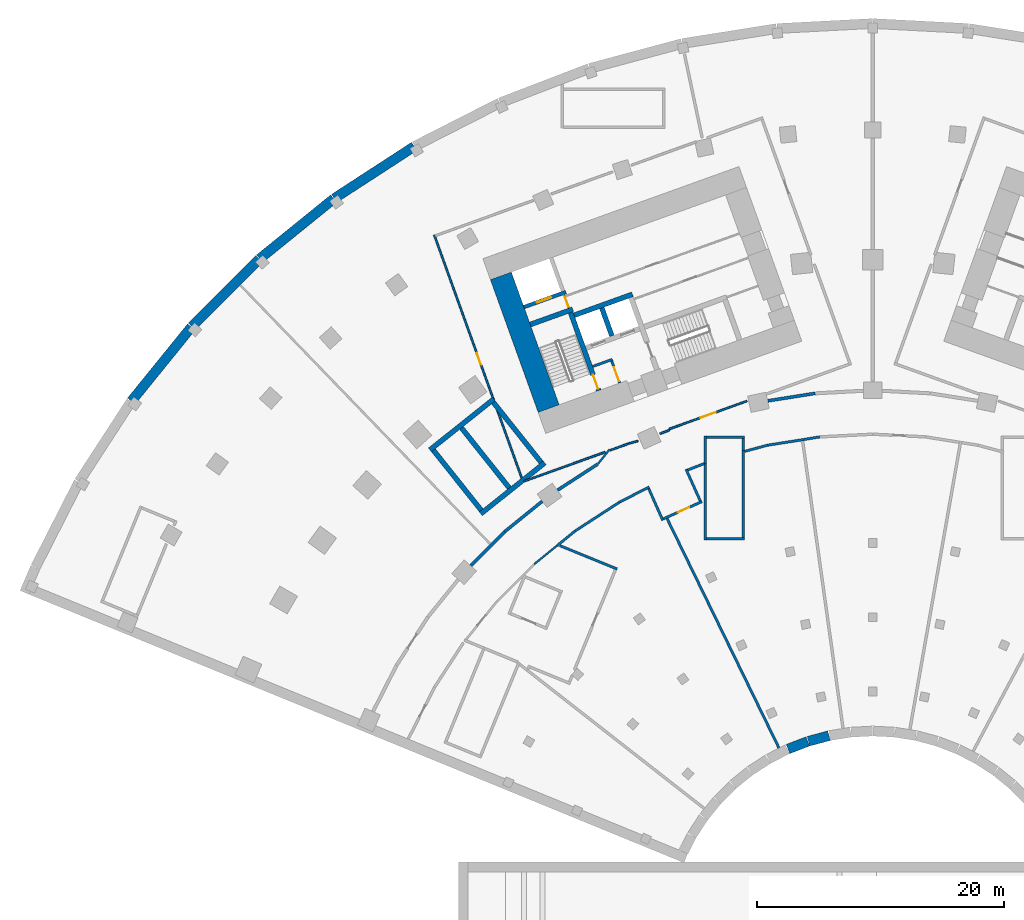
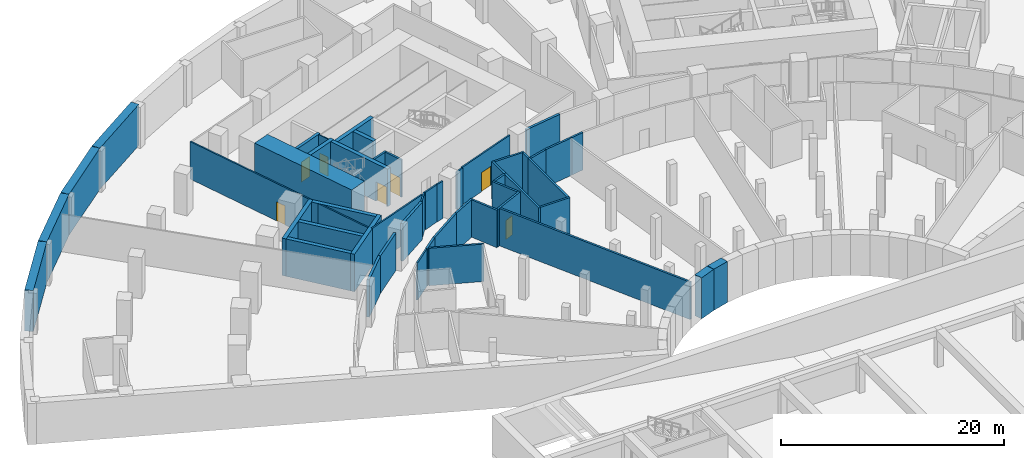
# One storey, part 8 of 21: 50 walls, 7 doors, 7 openings.
"""IFC4 building model written with IfcOpenShell, lengths in metres."""

from ifc_helpers import new_model, si_unit, direction, frame, frame_2d, origin, place, context, subcontext, project, spatial, rectangle, extrude, material, layer, layer_set, type_object, element, fill, save


model = new_model("IFC4")

# Units and contexts
model_context = context("Model", 3, precision=1e-05, world=origin(), true_north=direction((0.0, 1.0)))
body_context = subcontext(model_context, "Body", "Model", "MODEL_VIEW")
ifc_project = project(units=[si_unit("LENGTHUNIT", "METRE"), si_unit("AREAUNIT", "SQUARE_METRE"), si_unit("VOLUMEUNIT", "CUBIC_METRE"), si_unit("PLANEANGLEUNIT", "RADIAN"), si_unit("MASSUNIT", "GRAM", prefix="KILO")], contexts=[model_context])

# Site, building, storey
site_placement = place(None, origin())
site = spatial("IfcSite", under=ifc_project, at=site_placement, CompositionType="ELEMENT")
building_placement = place(site_placement, origin())
building = spatial("IfcBuilding", under=site, at=building_placement, Name="Stone Belt Terrace Tower", CompositionType="ELEMENT")
storey_placement = place(building_placement, frame((0.0, 0.0, -9.0)))
storey = spatial("IfcBuildingStorey", under=building, at=storey_placement, Name="B2", CompositionType="ELEMENT", Elevation=-9.0)

# Walls
ifc_material_1 = material(Name="Concrete B30", Category="concrete")
ifc_layer_1 = layer(ifc_material_1, 0.800048828125)
ifc_layer_set_1 = layer_set([ifc_layer_1], Name="Basement wall 800 B30")
wall_type_1 = type_object("IfcWallType", Name="Basement wall 800 B30", PredefinedType="SHEAR", material=ifc_layer_set_1)
for number, where, z_axis, x_axis, name in (
    (1, (-6.8544921875, 15.447021484375, 0.0), (0.0, 0.0, 1.0), (0.933582227874, 0.358363256763, 0.0), "Basement wall B2 8"),
    (2, (-5.202392578125, 16.078857421875, 0.0), (0.0, 0.0, 1.0), (0.965922180197, 0.258832652121, 0.0), "Basement wall B2 9"),
):
    element("IfcWall", number, at=place(storey_placement, frame(where, z_axis=z_axis, x_axis=x_axis)), inside=storey, type_object=wall_type_1, Name=name, PredefinedType="SHEAR", context=body_context, shape_type="SweptSolid", body=[
        extrude(rectangle(XDim=1.72705078125, YDim=0.800048828125, at=frame_2d((0.863525390625, 0.0))), origin(), (0.0, 0.0, 1.0), 4.5),
    ])
for number, where, z_axis, x_axis, name in (
    (3, (-37.0673828125, 64.16064453125, 0.0), (0.0, 0.0, 1.0), (-0.838660466412, -0.544654589696, 0.0), "Basement wall B2 41"),
    (4, (-43.57080078125, 59.9345703125, 0.0), (0.0, 0.0, 1.0), (-0.777146839365, -0.629319306922, 0.0), "Basement wall B2 42"),
    (5, (-49.596923828125, 55.0517578125, 0.0), (0.0, 0.0, 1.0), (-0.707106781187, -0.707106781187, 0.0), "Basement wall B2 43"),
    (6, (-55.079833984375, 49.56591796875, 0.0), (0.0, 0.0, 1.0), (-0.629319306922, -0.777146839365, 0.0), "Basement wall B2 44"),
):
    element("IfcWall", number, at=place(storey_placement, frame(where, z_axis=z_axis, x_axis=x_axis)), inside=storey, type_object=wall_type_1, Name=name, PredefinedType="SHEAR", context=body_context, shape_type="SweptSolid", body=[
        extrude(rectangle(XDim=7.71435546875, YDim=0.800048828125, at=frame_2d((3.857177734375, 0.0))), origin(), (0.0, 0.0, 1.0), 4.5),
    ])
ifc_layer_2 = layer(ifc_material_1, 0.25)
ifc_layer_set_2 = layer_set([ifc_layer_2], Name="Compartment wall 250")
wall_type_2 = type_object("IfcWallType", Name="Compartment wall 250", PredefinedType="SOLIDWALL", material=ifc_layer_set_2)
wall_1_placement = place(storey_placement, frame((-32.4853515625, 30.28466796875, 0.0), z_axis=(0.0, 0.0, 1.0), x_axis=(0.707106781187, 0.707106781187, 0.0)))
element("IfcWall", 7, at=wall_1_placement, inside=storey, type_object=wall_type_2, Name="Compartment wall B2 4", PredefinedType="SOLIDWALL", context=body_context, shape_type="SweptSolid", body=[
    extrude(rectangle(XDim=3.8759765625, YDim=0.25, at=frame_2d((1.93798828125, 0.0))), origin(), (0.0, 0.0, 1.0), 4.10009765625),
])
wall_2_placement = place(storey_placement, frame((-29.73486328125, 33.0341796875, 0.0), z_axis=(0.0, 0.0, 1.0), x_axis=(0.777272744525, 0.629163794746, 0.0)))
element("IfcWall", 8, at=wall_2_placement, inside=storey, type_object=wall_type_2, Name="Compartment wall B2 5", PredefinedType="SOLIDWALL", context=body_context, shape_type="SweptSolid", body=[
    extrude(rectangle(XDim=3.875244140625, YDim=0.25, at=frame_2d((1.9375, 0.0))), origin(), (0.0, 0.0, 1.0), 4.10009765625),
])
wall_3_placement = place(storey_placement, frame((-25.478515625, 36.376220703125, 0.0), z_axis=(0.0, 0.0, 1.0), x_axis=(0.838954270147, 0.544201922637, 0.0)))
element("IfcWall", 9, at=wall_3_placement, inside=storey, type_object=wall_type_2, Name="Compartment wall B2 6", PredefinedType="SOLIDWALL", context=body_context, shape_type="SweptSolid", body=[
    extrude(rectangle(XDim=3.864013671875, YDim=0.25, at=frame_2d((1.93212890625, 0.0))), origin(), (0.0, 0.0, 1.0), 4.10009765625),
])
wall_4_placement = place(storey_placement, frame((-8.480224609375, 43.59521484375, 0.0), z_axis=(0.0, 0.0, 1.0), x_axis=(0.987762453966, 0.155965812071, 0.0)))
element("IfcWall", 10, at=wall_4_placement, inside=storey, type_object=wall_type_2, Name="Compartment wall B2 7", PredefinedType="SOLIDWALL", context=body_context, shape_type="SweptSolid", body=[
    extrude(rectangle(XDim=3.87109375, YDim=0.25, at=frame_2d((1.935546875, 0.0))), origin(), (0.0, 0.0, 1.0), 4.10009765625),
])

# Wall, opening, door
ifc_material_2 = material(Name="Plasterboard partition")
ifc_layer_3 = layer(ifc_material_2, 0.10009765625)
ifc_layer_set_3 = layer_set([ifc_layer_3], Name="Core partition 100")
wall_type_3 = type_object("IfcWallType", Name="Core partition 100", PredefinedType="PARTITIONING", material=ifc_layer_set_3)
wall_5_placement = place(storey_placement, frame((-24.555908203125, 51.10400390625, 0.0), z_axis=(0.0, 0.0, 1.0), x_axis=(-0.338621735342, 0.94092258999, 0.0)))
wall_5 = element("IfcWall", 11, at=wall_5_placement, inside=storey, type_object=wall_type_3, Name="Core A wall", PredefinedType="PARTITIONING", context=body_context, shape_type="SweptSolid", body=[
    extrude(rectangle(XDim=1.14990234375, YDim=0.10009765625, at=frame_2d((0.574951171875, 0.0))), origin(), (0.0, 0.0, 1.0), 4.10009765625),
])
opening_1_placement = place(wall_5_placement, frame((0.050048828125, 0.0, 0.0)))
opening_1 = element("IfcOpeningElement", 12, at=opening_1_placement, cuts=wall_5, Name="Opening B2-C03", PredefinedType="OPENING", context=body_context, shape_type="SweptSolid", body=[
    extrude(rectangle(XDim=1.0, YDim=2.10009765625, at=frame_2d((0.5, 1.050048828125))), frame((0.0, 0.06005859375, 0.0), z_axis=(0.0, -1.0, 0.0), x_axis=(1.0, 0.0, 0.0)), (0.0, 0.0, 1.0), 0.1201171875),
])
ifc_material_3 = material(Name="Timber door leaf", Category="wood")
door_type_1 = type_object("IfcDoorType", Name="Core room door 1000", OperationType="SINGLE_SWING_LEFT", PredefinedType="DOOR", material=ifc_material_3)
door_1_placement = place(opening_1_placement, origin())
door_1 = element("IfcDoor", 13, at=door_1_placement, inside=storey, type_object=door_type_1, Name="Service lift lobby door core A", OperationType="SINGLE_SWING_LEFT", OverallHeight=2.10009765625, OverallWidth=1.0, PredefinedType="DOOR", context=body_context, shape_type="SweptSolid", body=[
    extrude(rectangle(XDim=1.0, YDim=2.10009765625, at=frame_2d((0.5, 1.050048828125))), frame((0.0, 0.02490234375, 0.0), z_axis=(0.0, -1.0, 0.0), x_axis=(1.0, 0.0, 0.0)), (0.0, 0.0, 1.0), 0.050048828125),
])
fill(opening_1, door_1)

# Walls
ifc_material_4 = material(Name="Concrete B80", Category="concrete")
ifc_layer_4 = layer(ifc_material_4, 1.800048828125)
ifc_layer_set_4 = layer_set([ifc_layer_4], Name="Core wall 1800 B80")
wall_type_4 = type_object("IfcWallType", Name="Core wall 1800 B80", PredefinedType="SHEAR", material=ifc_layer_set_4)
wall_6_placement = place(storey_placement, frame((-26.197509765625, 42.96728515625, 0.0), z_axis=(0.0, 0.0, 1.0), x_axis=(-0.338625431531, 0.940921259788, 0.0)))
element("IfcWall", 14, at=wall_6_placement, inside=storey, type_object=wall_type_4, Name="Core A wall end_a B2", PredefinedType="SHEAR", context=body_context, shape_type="SweptSolid", body=[
    extrude(rectangle(XDim=11.400146484375, YDim=1.800048828125, at=frame_2d((5.7001953125, 0.0))), origin(), (0.0, 0.0, 1.0), 4.5),
])
ifc_layer_5 = layer(ifc_material_4, 0.39990234375)
ifc_layer_set_5 = layer_set([ifc_layer_5], Name="Fire-fighting lift shaft wall 400")
wall_type_5 = type_object("IfcWallType", Name="Fire-fighting lift shaft wall 400", PredefinedType="SHEAR", material=ifc_layer_set_5)
wall_7_placement = place(storey_placement, frame((-24.130615234375, 50.512939453125, 0.0), z_axis=(0.0, 0.0, 1.0), x_axis=(0.94091168377, 0.338652038744, 0.0)))
element("IfcWall", 15, at=wall_7_placement, inside=storey, type_object=wall_type_5, Name="Core A wall", PredefinedType="SHEAR", context=body_context, shape_type="SweptSolid", body=[
    extrude(rectangle(XDim=5.000244140625, YDim=0.39990234375, at=frame_2d((2.5, 0.0))), origin(), (0.0, 0.0, 1.0), 4.10009765625),
])
wall_8_placement = place(storey_placement, frame((-21.0859375, 48.845458984375, 0.0), z_axis=(0.0, 0.0, 1.0), x_axis=(-0.338629416206, 0.940919825745, 0.0)))
element("IfcWall", 16, at=wall_8_placement, inside=storey, type_object=wall_type_5, Name="Core A wall", PredefinedType="SHEAR", context=body_context, shape_type="SweptSolid", body=[
    extrude(rectangle(XDim=2.400146484375, YDim=0.39990234375, at=frame_2d((1.2001953125, 0.0))), origin(), (0.0, 0.0, 1.0), 4.10009765625),
])

# Wall, opening, door
ifc_layer_6 = layer(ifc_material_4, 0.300048828125)
ifc_layer_set_6 = layer_set([ifc_layer_6], Name="Lift shaft wall 300")
wall_type_6 = type_object("IfcWallType", Name="Lift shaft wall 300", PredefinedType="SHEAR", material=ifc_layer_set_6)
wall_9_placement = place(storey_placement, frame((-28.195068359375, 51.17578125, 0.0), z_axis=(0.0, 0.0, 1.0), x_axis=(0.940901243567, 0.338681044427, 0.0)))
wall_9 = element("IfcWall", 17, at=wall_9_placement, inside=storey, type_object=wall_type_6, Name="Core A wall", PredefinedType="SHEAR", context=body_context, shape_type="SweptSolid", body=[
    extrude(rectangle(XDim=3.599853515625, YDim=0.300048828125, at=frame_2d((1.7998046875, 0.0))), origin(), (0.0, 0.0, 1.0), 4.10009765625),
])
opening_2_placement = place(wall_9_placement, frame((1.1201171875, 0.0, 0.0)))
opening_2 = element("IfcOpeningElement", 18, at=opening_2_placement, cuts=wall_9, Name="Opening B2-LD03", PredefinedType="OPENING", context=body_context, shape_type="SweptSolid", body=[
    extrude(rectangle(XDim=1.199951171875, YDim=2.199951171875, at=frame_2d((0.60009765625, 1.10009765625))), frame((0.0, 0.159912109375, 0.0), z_axis=(0.0, -1.0, 0.0), x_axis=(1.0, 0.0, 0.0)), (0.0, 0.0, 1.0), 0.320068359375),
])
ifc_material_5 = material(Name="Stainless steel door leaf", Category="steel")
door_type_2 = type_object("IfcDoorType", Name="Landing door 1200", OperationType="SLIDING_TO_LEFT", PredefinedType="DOOR", material=ifc_material_5)
door_2_placement = place(opening_2_placement, origin())
door_2 = element("IfcDoor", 19, at=door_2_placement, inside=storey, type_object=door_type_2, Name="Landing door SV1 core A", OperationType="SLIDING_TO_LEFT", OverallHeight=2.199951171875, OverallWidth=1.199951171875, PredefinedType="DOOR", context=body_context, shape_type="SweptSolid", body=[
    extrude(rectangle(XDim=1.199951171875, YDim=2.199951171875, at=frame_2d((0.60009765625, 1.10009765625))), frame((0.0, 0.02490234375, 0.0), z_axis=(0.0, -1.0, 0.0), x_axis=(1.0, 0.0, 0.0)), (0.0, 0.0, 1.0), 0.050048828125),
])
fill(opening_2, door_2)

# Walls
ifc_material_6 = material(Name="Blockwork wall, plastered both faces", Category="masonry")
ifc_layer_7 = layer(ifc_material_6, 0.199951171875)
ifc_layer_set_7 = layer_set([ifc_layer_7], Name="Podium demising wall 200")
wall_type_7 = type_object("IfcWallType", Name="Podium demising wall 200", PredefinedType="PARTITIONING", material=ifc_layer_set_7)
wall_10_placement = place(storey_placement, frame((-25.5283203125, 31.878173828125, 0.0), z_axis=(0.0, 0.0, 1.0), x_axis=(0.77543853682, 0.631423055973, 0.0)))
element("IfcWall", 20, at=wall_10_placement, inside=storey, type_object=wall_type_7, Name="Podium demising wall 200", PredefinedType="PARTITIONING", context=body_context, shape_type="SweptSolid", body=[
    extrude(rectangle(XDim=1.913818359375, YDim=0.199951171875, at=frame_2d((0.95703125, 0.0))), origin(), (0.0, 0.0, 1.0), 4.10009765625),
])
wall_11_placement = place(storey_placement, frame((-25.284423828125, 31.886474609375, 0.0), z_axis=(0.0, 0.0, 1.0), x_axis=(0.925860927211, -0.377864451177, 0.0)))
element("IfcWall", 21, at=wall_11_placement, inside=storey, type_object=wall_type_7, Name="Podium demising wall 200", PredefinedType="PARTITIONING", context=body_context, shape_type="SweptSolid", body=[
    extrude(rectangle(XDim=4.986572265625, YDim=0.199951171875, at=frame_2d((2.4931640625, 0.0))), origin(), (0.0, 0.0, 1.0), 4.10009765625),
])
wall_12_placement = place(storey_placement, frame((-24.035400390625, 33.093017578125, 0.0), z_axis=(0.0, 0.0, 1.0), x_axis=(0.838840597243, 0.544377123341, 0.0)))
element("IfcWall", 22, at=wall_12_placement, inside=storey, type_object=wall_type_7, Name="Podium demising wall 200", PredefinedType="PARTITIONING", context=body_context, shape_type="SweptSolid", body=[
    extrude(rectangle(XDim=4.26904296875, YDim=0.199951171875, at=frame_2d((2.134521484375, 0.0))), origin(), (0.0, 0.0, 1.0), 4.10009765625),
])
wall_13_placement = place(storey_placement, frame((-20.4453125, 35.42236328125, 0.0), z_axis=(0.0, 0.0, 1.0), x_axis=(0.891284501051, 0.453444526029, 0.0)))
element("IfcWall", 23, at=wall_13_placement, inside=storey, type_object=wall_type_7, Name="Podium demising wall 200", PredefinedType="PARTITIONING", context=body_context, shape_type="SweptSolid", body=[
    extrude(rectangle(XDim=2.67529296875, YDim=0.199951171875, at=frame_2d((1.337646484375, 0.0))), origin(), (0.0, 0.0, 1.0), 4.10009765625),
])
wall_14_placement = place(storey_placement, frame((-18.109375, 36.49853515625, 0.0), z_axis=(0.0, 0.0, 1.0), x_axis=(0.4054695773, -0.914108539444, 0.0)))
element("IfcWall", 24, at=wall_14_placement, inside=storey, type_object=wall_type_7, Name="Podium demising wall 200", PredefinedType="PARTITIONING", context=body_context, shape_type="SweptSolid", body=[
    extrude(rectangle(XDim=2.811279296875, YDim=0.199951171875, at=frame_2d((1.40576171875, 0.0))), origin(), (0.0, 0.0, 1.0), 4.10009765625),
])

# Wall, opening, door
wall_15_placement = place(storey_placement, frame((-16.9189453125, 34.0615234375, 0.0), z_axis=(0.0, 0.0, 1.0), x_axis=(0.913044486786, 0.407859982284, 0.0)))
wall_15 = element("IfcWall", 25, at=wall_15_placement, inside=storey, type_object=wall_type_7, Name="Podium demising wall 200", PredefinedType="PARTITIONING", context=body_context, shape_type="SweptSolid", body=[
    extrude(rectangle(XDim=3.406494140625, YDim=0.199951171875, at=frame_2d((1.703125, 0.0))), origin(), (0.0, 0.0, 1.0), 4.10009765625),
])
opening_3_placement = place(wall_15_placement, frame((1.2890625, 0.0, 0.0)))
opening_3 = element("IfcOpeningElement", 26, at=opening_3_placement, cuts=wall_15, Name="Opening B2-P05", PredefinedType="OPENING", context=body_context, shape_type="SweptSolid", body=[
    extrude(rectangle(XDim=1.0, YDim=2.10009765625, at=frame_2d((0.5, 1.050048828125))), frame((0.0, 0.10986328125, 0.0), z_axis=(0.0, -1.0, 0.0), x_axis=(1.0, 0.0, 0.0)), (0.0, 0.0, 1.0), 0.219970703125),
])
ifc_material_7 = material(Name="Steel framed door leaf", Category="steel")
door_type_3 = type_object("IfcDoorType", Name="Podium door single 1000", OperationType="SINGLE_SWING_LEFT", PredefinedType="DOOR", material=ifc_material_7)
door_3_placement = place(opening_3_placement, origin())
door_3 = element("IfcDoor", 27, at=door_3_placement, inside=storey, type_object=door_type_3, Name="Podium door single 1000", OperationType="SINGLE_SWING_LEFT", OverallHeight=2.10009765625, OverallWidth=1.0, PredefinedType="DOOR", context=body_context, shape_type="SweptSolid", body=[
    extrude(rectangle(XDim=1.0, YDim=2.10009765625, at=frame_2d((0.5, 1.050048828125))), frame((0.0, 0.02490234375, 0.0), z_axis=(0.0, -1.0, 0.0), x_axis=(1.0, 0.0, 0.0)), (0.0, 0.0, 1.0), 0.050048828125),
])
fill(opening_3, door_3)

# Walls
wall_16_placement = place(storey_placement, frame((-16.625244140625, 34.078369140625, 0.0), z_axis=(0.0, 0.0, 1.0), x_axis=(0.43831779737, -0.89882006459, 0.0)))
element("IfcWall", 28, at=wall_16_placement, inside=storey, type_object=wall_type_7, Name="Podium demising wall 200", PredefinedType="PARTITIONING", context=body_context, shape_type="SweptSolid", body=[
    extrude(rectangle(XDim=20.634521484375, YDim=0.199951171875, at=frame_2d((10.3173828125, 0.0))), origin(), (0.0, 0.0, 1.0), 4.10009765625),
])
wall_17_placement = place(storey_placement, frame((-15.091064453125, 38.061279296875, 0.0), z_axis=(0.0, 0.0, 1.0), x_axis=(0.409807578552, -0.912171995054, 0.0)))
element("IfcWall", 29, at=wall_17_placement, inside=storey, type_object=wall_type_7, Name="Podium demising wall 200", PredefinedType="PARTITIONING", context=body_context, shape_type="SweptSolid", body=[
    extrude(rectangle(XDim=2.806640625, YDim=0.199951171875, at=frame_2d((1.4033203125, 0.0))), origin(), (0.0, 0.0, 1.0), 4.10009765625),
])
wall_18_placement = place(storey_placement, frame((-14.956787109375, 38.006103515625, 0.0), z_axis=(0.0, 0.0, 1.0), x_axis=(0.932244128042, 0.36182991271, 0.0)))
element("IfcWall", 30, at=wall_18_placement, inside=storey, type_object=wall_type_7, Name="Podium demising wall 200", PredefinedType="PARTITIONING", context=body_context, shape_type="SweptSolid", body=[
    extrude(rectangle(XDim=1.433837890625, YDim=0.199951171875, at=frame_2d((0.716796875, 0.0))), origin(), (0.0, 0.0, 1.0), 4.10009765625),
])
wall_19_placement = place(storey_placement, frame((-10.3505859375, 39.51220703125, 0.0), z_axis=(0.0, 0.0, 1.0), x_axis=(0.965683566796, 0.259721483172, 0.0)))
element("IfcWall", 31, at=wall_19_placement, inside=storey, type_object=wall_type_7, Name="Podium demising wall 200", PredefinedType="PARTITIONING", context=body_context, shape_type="SweptSolid", body=[
    extrude(rectangle(XDim=1.9111328125, YDim=0.199951171875, at=frame_2d((0.95556640625, 0.0))), origin(), (0.0, 0.0, 1.0), 4.10009765625),
])
wall_20_placement = place(storey_placement, frame((-8.49462890625, 40.0107421875, 0.0), z_axis=(0.0, 0.0, 1.0), x_axis=(0.988043979884, 0.154172286143, 0.0)))
element("IfcWall", 32, at=wall_20_placement, inside=storey, type_object=wall_type_7, Name="Podium demising wall 200", PredefinedType="PARTITIONING", context=body_context, shape_type="SweptSolid", body=[
    extrude(rectangle(XDim=2.948486328125, YDim=0.199951171875, at=frame_2d((1.47412109375, 0.0))), origin(), (0.0, 0.0, 1.0), 4.10009765625),
])
wall_21_placement = place(storey_placement, frame((-5.57958984375, 40.468017578125, 0.0), z_axis=(0.0, 0.0, 1.0), x_axis=(0.986946774609, 0.161046776087, 0.0)))
element("IfcWall", 33, at=wall_21_placement, inside=storey, type_object=wall_type_7, Name="Podium demising wall 200", PredefinedType="PARTITIONING", context=body_context, shape_type="SweptSolid", body=[
    extrude(rectangle(XDim=1.311279296875, YDim=0.199951171875, at=frame_2d((0.65576171875, 0.0))), origin(), (0.0, 0.0, 1.0), 4.10009765625),
])

# Wall, opening, door
ifc_material_8 = material(Name="Gypsum board on steel stud partition", Category="steel")
ifc_layer_8 = layer(ifc_material_8, 0.14990234375)
ifc_layer_set_8 = layer_set([ifc_layer_8], Name="Podium partition 150")
wall_type_8 = type_object("IfcWallType", Name="Podium partition 150", PredefinedType="PARTITIONING", material=ifc_layer_set_8)
wall_22_placement = place(storey_placement, frame((-35.4453125, 56.990478515625, 0.0), z_axis=(0.0, 0.0, 1.0), x_axis=(0.338883430341, -0.940828369385, 0.0)))
wall_22 = element("IfcWall", 34, at=wall_22_placement, inside=storey, type_object=wall_type_8, Name="Podium partition 150", PredefinedType="PARTITIONING", context=body_context, shape_type="SweptSolid", body=[
    extrude(rectangle(XDim=21.248291015625, YDim=0.14990234375, at=frame_2d((10.6240234375, 0.0))), origin(), (0.0, 0.0, 1.0), 4.10009765625),
])
opening_4_placement = place(wall_22_placement, frame((10.124267578125, 0.0, 0.0)))
opening_4 = element("IfcOpeningElement", 35, at=opening_4_placement, cuts=wall_22, Name="Opening B2-P11", PredefinedType="OPENING", context=body_context, shape_type="SweptSolid", body=[
    extrude(rectangle(XDim=1.0, YDim=2.10009765625, at=frame_2d((0.5, 1.050048828125))), frame((0.0, 0.0849609375, 0.0), z_axis=(0.0, -1.0, 0.0), x_axis=(1.0, 0.0, 0.0)), (0.0, 0.0, 1.0), 0.169921875),
])
door_4_placement = place(opening_4_placement, origin())
door_4 = element("IfcDoor", 36, at=door_4_placement, inside=storey, type_object=door_type_3, Name="Podium door single 1000", OperationType="SINGLE_SWING_LEFT", OverallHeight=2.10009765625, OverallWidth=1.0, PredefinedType="DOOR", context=body_context, shape_type="SweptSolid", body=[
    extrude(rectangle(XDim=1.0, YDim=2.10009765625, at=frame_2d((0.5, 1.050048828125))), frame((0.0, 0.02490234375, 0.0), z_axis=(0.0, -1.0, 0.0), x_axis=(1.0, 0.0, 0.0)), (0.0, 0.0, 1.0), 0.050048828125),
])
fill(opening_4, door_4)

# Walls
wall_23_placement = place(storey_placement, frame((-28.199462890625, 37.09521484375, 0.0), z_axis=(0.0, 0.0, 1.0), x_axis=(0.941216607992, 0.337803636512, 0.0)))
element("IfcWall", 37, at=wall_23_placement, inside=storey, type_object=wall_type_8, Name="Podium partition 150", PredefinedType="PARTITIONING", context=body_context, shape_type="SweptSolid", body=[
    extrude(rectangle(XDim=6.986572265625, YDim=0.14990234375, at=frame_2d((3.4931640625, 0.0))), origin(), (0.0, 0.0, 1.0), 4.10009765625),
])
wall_24_placement = place(storey_placement, frame((-27.366943359375, 30.392333984375, 0.0), z_axis=(0.0, 0.0, 1.0), x_axis=(0.775699672269, 0.631102225033, 0.0)))
element("IfcWall", 38, at=wall_24_placement, inside=storey, type_object=wall_type_8, Name="Podium partition 150", PredefinedType="PARTITIONING", context=body_context, shape_type="SweptSolid", body=[
    extrude(rectangle(XDim=2.362060546875, YDim=0.14990234375, at=frame_2d((1.18115234375, 0.0))), origin(), (0.0, 0.0, 1.0), 4.10009765625),
])
wall_25_placement = place(storey_placement, frame((-22.21240234375, 38.49951171875, 0.0), z_axis=(0.0, 0.0, 1.0), x_axis=(0.625533857569, 0.780197021934, 0.0)))
element("IfcWall", 39, at=wall_25_placement, inside=storey, type_object=wall_type_8, Name="Podium partition 150", PredefinedType="PARTITIONING", context=body_context, shape_type="SweptSolid", body=[
    extrude(rectangle(XDim=1.490234375, YDim=0.14990234375, at=frame_2d((0.7451171875, 0.0))), origin(), (0.0, 0.0, 1.0), 4.10009765625),
])
wall_26_placement = place(storey_placement, frame((-21.23486328125, 39.5986328125, 0.0), z_axis=(0.0, 0.0, 1.0), x_axis=(0.940940035748, 0.338573255184, 0.0)))
element("IfcWall", 40, at=wall_26_placement, inside=storey, type_object=wall_type_8, Name="Podium partition 150", PredefinedType="PARTITIONING", context=body_context, shape_type="SweptSolid", body=[
    extrude(rectangle(XDim=1.596435546875, YDim=0.14990234375, at=frame_2d((0.79833984375, 0.0))), origin(), (0.0, 0.0, 1.0), 4.10009765625),
])
wall_27_placement = place(storey_placement, frame((-19.727294921875, 40.140625, 0.0), z_axis=(0.0, 0.0, 1.0), x_axis=(0.963222573391, 0.268704808499, 0.0)))
element("IfcWall", 41, at=wall_27_placement, inside=storey, type_object=wall_type_8, Name="Podium partition 150", PredefinedType="PARTITIONING", context=body_context, shape_type="SweptSolid", body=[
    extrude(rectangle(XDim=0.783203125, YDim=0.14990234375, at=frame_2d((0.3916015625, 0.0))), origin(), (0.0, 0.0, 1.0), 4.10009765625),
])
wall_28_placement = place(storey_placement, frame((-17.20849609375, 40.934326171875, 0.0), z_axis=(0.0, 0.0, 1.0), x_axis=(0.933665585173, 0.358146024777, 0.0)))
element("IfcWall", 42, at=wall_28_placement, inside=storey, type_object=wall_type_8, Name="Podium partition 150", PredefinedType="PARTITIONING", context=body_context, shape_type="SweptSolid", body=[
    extrude(rectangle(XDim=0.844482421875, YDim=0.14990234375, at=frame_2d((0.42236328125, 0.0))), origin(), (0.0, 0.0, 1.0), 4.10009765625),
])

# Wall, opening, door
wall_29_placement = place(storey_placement, frame((-16.449462890625, 41.3154296875, 0.0), z_axis=(0.0, 0.0, 1.0), x_axis=(0.94082310162, 0.338898054668, 0.0)))
wall_29 = element("IfcWall", 43, at=wall_29_placement, inside=storey, type_object=wall_type_8, Name="Podium partition 150", PredefinedType="PARTITIONING", context=body_context, shape_type="SweptSolid", body=[
    extrude(rectangle(XDim=6.68017578125, YDim=0.14990234375, at=frame_2d((3.340087890625, 0.0))), origin(), (0.0, 0.0, 1.0), 4.10009765625),
])
opening_5_placement = place(wall_29_placement, frame((2.690185546875, 0.0, 0.0)))
opening_5 = element("IfcOpeningElement", 44, at=opening_5_placement, cuts=wall_29, Name="Opening B2-P17", PredefinedType="OPENING", context=body_context, shape_type="SweptSolid", body=[
    extrude(rectangle(XDim=1.300048828125, YDim=2.10009765625, at=frame_2d((0.64990234375, 1.050048828125))), frame((0.0, 0.0849609375, 0.0), z_axis=(0.0, -1.0, 0.0), x_axis=(1.0, 0.0, 0.0)), (0.0, 0.0, 1.0), 0.169921875),
])
ifc_material_9 = material(Name="Steel framed fire door leaf", Category="steel")
door_type_4 = type_object("IfcDoorType", Name="Fire door 1300 x 2100 EI 60", OperationType="SINGLE_SWING_LEFT", PredefinedType="DOOR", material=ifc_material_9)
door_5_placement = place(opening_5_placement, origin())
door_5 = element("IfcDoor", 45, at=door_5_placement, inside=storey, type_object=door_type_4, Name="Fire door 1300 x 2100 EI 60", OperationType="SINGLE_SWING_LEFT", OverallHeight=2.10009765625, OverallWidth=1.300048828125, PredefinedType="DOOR", context=body_context, shape_type="SweptSolid", body=[
    extrude(rectangle(XDim=1.300048828125, YDim=2.10009765625, at=frame_2d((0.64990234375, 1.050048828125))), frame((0.0, 0.02490234375, 0.0), z_axis=(0.0, -1.0, 0.0), x_axis=(1.0, 0.0, 0.0)), (0.0, 0.0, 1.0), 0.050048828125),
])
fill(opening_5, door_5)

# Walls
ifc_layer_9 = layer(ifc_material_1, 0.199951171875)
ifc_layer_set_9 = layer_set([ifc_layer_9], Name="Podium stair and shaft wall 200")
wall_type_9 = type_object("IfcWallType", Name="Podium stair and shaft wall 200", PredefinedType="SOLIDWALL", material=ifc_layer_set_9)
wall_30_placement = place(storey_placement, frame((-13.530029296875, 32.340087890625, 0.0), z_axis=(0.0, 0.0, 1.0), x_axis=(0.0, 1.0, 0.0)))
element("IfcWall", 46, at=wall_30_placement, inside=storey, type_object=wall_type_9, Name="Podium stair and shaft wall 200", PredefinedType="SOLIDWALL", context=body_context, shape_type="SweptSolid", body=[
    extrude(rectangle(XDim=6.2099609375, YDim=0.199951171875, at=frame_2d((3.10498046875, 0.0))), origin(), (0.0, 0.0, 1.0), 4.10009765625),
])
wall_31_placement = place(storey_placement, frame((-13.429931640625, 32.43994140625, 0.0), z_axis=(0.0, 0.0, 1.0), x_axis=(1.0, 0.0, 0.0)))
element("IfcWall", 47, at=wall_31_placement, inside=storey, type_object=wall_type_9, Name="Podium stair and shaft wall 200", PredefinedType="SOLIDWALL", context=body_context, shape_type="SweptSolid", body=[
    extrude(rectangle(XDim=3.059814453125, YDim=0.199951171875, at=frame_2d((1.52978515625, 0.0))), origin(), (0.0, 0.0, 1.0), 4.10009765625),
])
wall_32_placement = place(storey_placement, frame((-13.530029296875, 38.550048828125, 0.0), z_axis=(0.0, 0.0, 1.0), x_axis=(0.0, 1.0, 0.0)))
element("IfcWall", 48, at=wall_32_placement, inside=storey, type_object=wall_type_9, Name="Podium stair and shaft wall 200", PredefinedType="SOLIDWALL", context=body_context, shape_type="SweptSolid", body=[
    extrude(rectangle(XDim=2.2099609375, YDim=0.199951171875, at=frame_2d((1.10498046875, 0.0))), origin(), (0.0, 0.0, 1.0), 4.10009765625),
])
wall_33_placement = place(storey_placement, frame((-13.429931640625, 40.659912109375, 0.0), z_axis=(0.0, 0.0, 1.0), x_axis=(1.0, 0.0, 0.0)))
element("IfcWall", 49, at=wall_33_placement, inside=storey, type_object=wall_type_9, Name="Podium stair and shaft wall 200", PredefinedType="SOLIDWALL", context=body_context, shape_type="SweptSolid", body=[
    extrude(rectangle(XDim=3.059814453125, YDim=0.199951171875, at=frame_2d((1.52978515625, 0.0))), origin(), (0.0, 0.0, 1.0), 4.10009765625),
])
wall_34_placement = place(storey_placement, frame((-10.469970703125, 32.5400390625, 0.0), z_axis=(0.0, 0.0, 1.0), x_axis=(0.0, 1.0, 0.0)))
element("IfcWall", 50, at=wall_34_placement, inside=storey, type_object=wall_type_9, Name="Podium stair and shaft wall 200", PredefinedType="SOLIDWALL", context=body_context, shape_type="SweptSolid", body=[
    extrude(rectangle(XDim=7.04345703125, YDim=0.199951171875, at=frame_2d((3.521728515625, 0.0))), origin(), (0.0, 0.0, 1.0), 4.10009765625),
])
wall_35_placement = place(storey_placement, frame((-10.469970703125, 39.583984375, 0.0), z_axis=(0.0, 0.0, 1.0), x_axis=(0.0, 1.0, 0.0)))
element("IfcWall", 51, at=wall_35_placement, inside=storey, type_object=wall_type_9, Name="Podium stair and shaft wall 200", PredefinedType="SOLIDWALL", context=body_context, shape_type="SweptSolid", body=[
    extrude(rectangle(XDim=0.97607421875, YDim=0.199951171875, at=frame_2d((0.488037109375, 0.0))), origin(), (0.0, 0.0, 1.0), 4.10009765625),
])
ifc_material_10 = material(Name="Concrete masonry block", Category="masonry")
ifc_layer_10 = layer(ifc_material_10, 0.199951171875)
ifc_layer_set_10 = layer_set([ifc_layer_10], Name="Rated lobby wall 200")
wall_type_10 = type_object("IfcWallType", Name="Rated lobby wall 200", PredefinedType="PARTITIONING", material=ifc_layer_set_10)
wall_36_placement = place(storey_placement, frame((-22.640625, 46.373046875, 0.0), z_axis=(0.0, 0.0, 1.0), x_axis=(0.940966110313, 0.338500781747, 0.0)))
element("IfcWall", 52, at=wall_36_placement, inside=storey, type_object=wall_type_10, Name="Core A wall", PredefinedType="PARTITIONING", context=body_context, shape_type="SweptSolid", body=[
    extrude(rectangle(XDim=1.699951171875, YDim=0.199951171875, at=frame_2d((0.85009765625, 0.0))), origin(), (0.0, 0.0, 1.0), 4.10009765625),
])

# Wall, opening, door
wall_37_placement = place(storey_placement, frame((-20.4580078125, 45.032958984375, 0.0), z_axis=(0.0, 0.0, 1.0), x_axis=(-0.338573865316, 0.940939816208, 0.0)))
wall_37 = element("IfcWall", 53, at=wall_37_placement, inside=storey, type_object=wall_type_10, Name="Core A wall", PredefinedType="PARTITIONING", context=body_context, shape_type="SweptSolid", body=[
    extrude(rectangle(XDim=1.900146484375, YDim=0.199951171875, at=frame_2d((0.9501953125, 0.0))), origin(), (0.0, 0.0, 1.0), 4.10009765625),
])
opening_6_placement = place(wall_37_placement, frame((0.14990234375, 0.0, 0.0)))
opening_6 = element("IfcOpeningElement", 54, at=opening_6_placement, cuts=wall_37, Name="Opening B2-C06", PredefinedType="OPENING", context=body_context, shape_type="SweptSolid", body=[
    extrude(rectangle(XDim=1.199951171875, YDim=2.10009765625, at=frame_2d((0.60009765625, 1.050048828125))), frame((0.0, 0.10986328125, 0.0), z_axis=(0.0, -1.0, 0.0), x_axis=(1.0, 0.0, 0.0)), (0.0, 0.0, 1.0), 0.219970703125),
])
ifc_material_11 = material(Name="Steel door leaf", Category="steel")
door_type_5 = type_object("IfcDoorType", Name="Stair door 1200", OperationType="SINGLE_SWING_LEFT", PredefinedType="DOOR", material=ifc_material_11)
door_6_placement = place(opening_6_placement, origin())
door_6 = element("IfcDoor", 55, at=door_6_placement, inside=storey, type_object=door_type_5, Name="Stair airlock door core A", OperationType="SINGLE_SWING_LEFT", OverallHeight=2.10009765625, OverallWidth=1.199951171875, PredefinedType="DOOR", context=body_context, shape_type="SweptSolid", body=[
    extrude(rectangle(XDim=1.199951171875, YDim=2.10009765625, at=frame_2d((0.60009765625, 1.050048828125))), frame((0.0, 0.02490234375, 0.0), z_axis=(0.0, -1.0, 0.0), x_axis=(1.0, 0.0, 0.0)), (0.0, 0.0, 1.0), 0.050048828125),
])
fill(opening_6, door_6)

# Wall
ifc_layer_11 = layer(ifc_material_4, 0.39990234375)
ifc_layer_set_11 = layer_set([ifc_layer_11], Name="Stair enclosure wall 400")
wall_type_11 = type_object("IfcWallType", Name="Stair enclosure wall 400", PredefinedType="SHEAR", material=ifc_layer_set_11)
wall_38_placement = place(storey_placement, frame((-27.687255859375, 49.764404296875, 0.0), z_axis=(0.0, 0.0, 1.0), x_axis=(0.940918954884, 0.338631835981, 0.0)))
element("IfcWall", 56, at=wall_38_placement, inside=storey, type_object=wall_type_11, Name="Core A wall", PredefinedType="SHEAR", context=body_context, shape_type="SweptSolid", body=[
    extrude(rectangle(XDim=3.650146484375, YDim=0.39990234375, at=frame_2d((1.8251953125, 0.0))), origin(), (0.0, 0.0, 1.0), 4.10009765625),
])

# Wall, opening, door
wall_39_placement = place(storey_placement, frame((-22.151611328125, 44.42333984375, 0.0), z_axis=(0.0, 0.0, 1.0), x_axis=(-0.338625272931, 0.940921316866, 0.0)))
wall_39 = element("IfcWall", 57, at=wall_39_placement, inside=storey, type_object=wall_type_11, Name="Core A wall", PredefinedType="SHEAR", context=body_context, shape_type="SweptSolid", body=[
    extrude(rectangle(XDim=6.699951171875, YDim=0.39990234375, at=frame_2d((3.35009765625, 0.0))), origin(), (0.0, 0.0, 1.0), 4.10009765625),
])
opening_7_placement = place(wall_39_placement, frame((0.14990234375, 0.0, 0.0)))
opening_7 = element("IfcOpeningElement", 58, at=opening_7_placement, cuts=wall_39, Name="Opening B2-C05", PredefinedType="OPENING", context=body_context, shape_type="SweptSolid", body=[
    extrude(rectangle(XDim=1.199951171875, YDim=2.10009765625, at=frame_2d((0.60009765625, 1.050048828125))), frame((0.0, 0.2099609375, 0.0), z_axis=(0.0, -1.0, 0.0), x_axis=(1.0, 0.0, 0.0)), (0.0, 0.0, 1.0), 0.419921875),
])
door_7_placement = place(opening_7_placement, origin())
door_7 = element("IfcDoor", 59, at=door_7_placement, inside=storey, type_object=door_type_5, Name="Stair 1 door core A", OperationType="SINGLE_SWING_LEFT", OverallHeight=2.10009765625, OverallWidth=1.199951171875, PredefinedType="DOOR", context=body_context, shape_type="SweptSolid", body=[
    extrude(rectangle(XDim=1.199951171875, YDim=2.10009765625, at=frame_2d((0.60009765625, 1.050048828125))), frame((0.0, 0.02490234375, 0.0), z_axis=(0.0, -1.0, 0.0), x_axis=(1.0, 0.0, 0.0)), (0.0, 0.0, 1.0), 0.050048828125),
])
fill(opening_7, door_7)

# Walls
for number, where, z_axis, x_axis, name in (
    (60, (-26.518798828125, 38.58154296875, 0.0), (0.0, 0.0, 1.0), (-0.782133914161, -0.623110375711, 0.0), "Exit stair ST3A wall base"),
    (61, (-30.63134765625, 43.74365234375, 0.0), (0.0, 0.0, 1.0), (-0.782133914161, -0.623110375711, 0.0), "Exit stair ST3A wall base"),
):
    element("IfcWall", number, at=place(storey_placement, frame(where, z_axis=z_axis, x_axis=x_axis)), inside=storey, type_object=wall_type_11, Name=name, PredefinedType="SHEAR", context=body_context, shape_type="SweptSolid", body=[
        extrude(rectangle(XDim=6.60009765625, YDim=0.39990234375, at=frame_2d((3.300048828125, 0.0))), origin(), (0.0, 0.0, 1.0), 4.10009765625),
    ])
for number, where, z_axis, x_axis, name in (
    (62, (-26.7998046875, 38.61328125, 0.0), (0.0, 0.0, 1.0), (-0.623118653668, 0.782127319208, 0.0), "Exit stair ST3A wall base"),
    (63, (-31.64892578125, 34.75, 0.0), (0.0, 0.0, 1.0), (-0.623118653668, 0.782127319208, 0.0), "Exit stair ST3A wall base"),
):
    element("IfcWall", number, at=place(storey_placement, frame(where, z_axis=z_axis, x_axis=x_axis)), inside=storey, type_object=wall_type_11, Name=name, PredefinedType="SHEAR", context=body_context, shape_type="SweptSolid", body=[
        extrude(rectangle(XDim=6.199951171875, YDim=0.39990234375, at=frame_2d((3.10009765625, 0.0))), origin(), (0.0, 0.0, 1.0), 4.10009765625),
    ])
wall_40_placement = place(storey_placement, frame((-29.380859375, 36.556884765625, 0.0), z_axis=(0.0, 0.0, 1.0), x_axis=(-0.623099462847, 0.782142608097, 0.0)))
element("IfcWall", 64, at=wall_40_placement, inside=storey, type_object=wall_type_11, Name="Exit stair ST3A wall base", PredefinedType="SHEAR", context=body_context, shape_type="SweptSolid", body=[
    extrude(rectangle(XDim=6.2001953125, YDim=0.39990234375, at=frame_2d((3.10009765625, 0.0))), origin(), (0.0, 0.0, 1.0), 4.10009765625),
])

save(model, "model.ifc")
